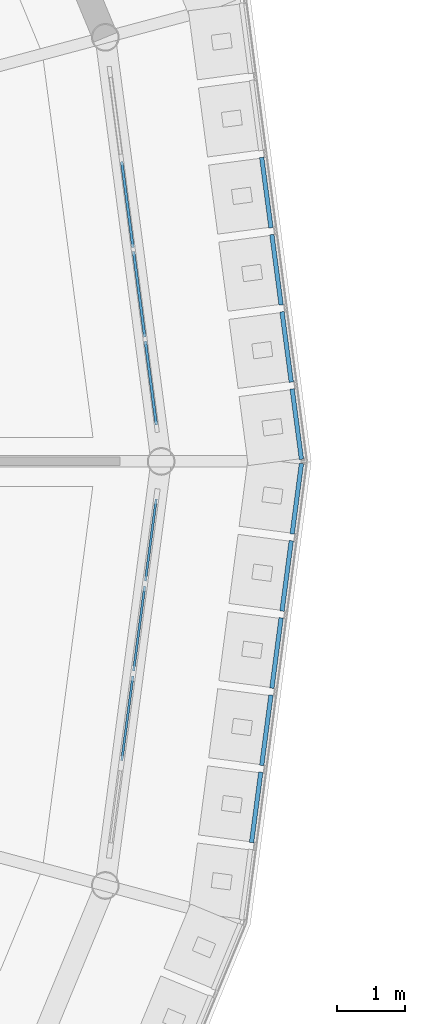
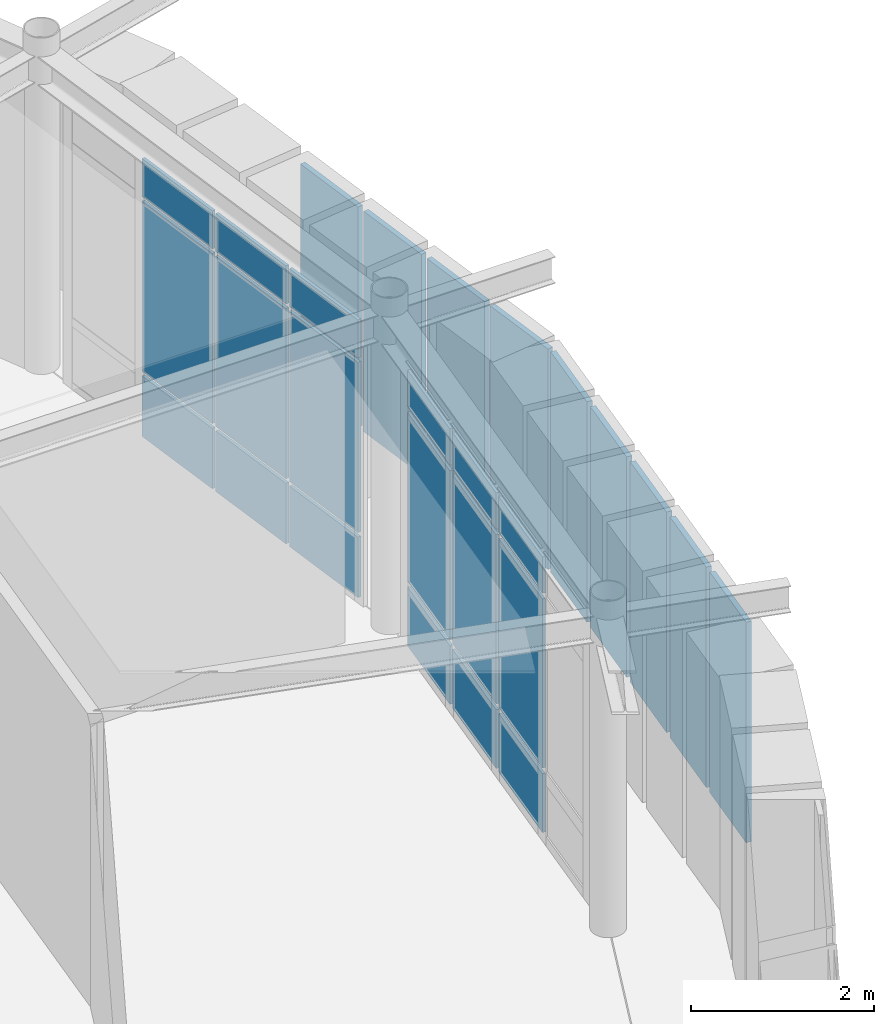
# One storey, part 71 of 106: 27 plates, 2 elements without a shape of their own.
"""IFC4 building model written with IfcOpenShell, lengths in metres."""

from ifc_helpers import new_model, si_unit, derived_unit, direction, frame, origin, origin_2d, place, context, subcontext, project, spatial, rectangle, extrude, material, layer, layer_set, type_object, element, aggregate, save


model = new_model("IFC4")

# Units and contexts
model_context = context("Model", 3, precision=1e-05, world=origin(), true_north=direction((0.0, 1.0)))
body_context = subcontext(model_context, "Body", "Model", "MODEL_VIEW")
ifc_project = project(units=[si_unit("LENGTHUNIT", "METRE"), si_unit("AREAUNIT", "SQUARE_METRE"), si_unit("VOLUMEUNIT", "CUBIC_METRE"), si_unit("PLANEANGLEUNIT", "RADIAN"), si_unit("MASSUNIT", "GRAM", prefix="KILO"), derived_unit("THERMALTRANSMITTANCEUNIT", [(si_unit("POWERUNIT", "WATT"), 1), (si_unit("AREAUNIT", "SQUARE_METRE"), -1), (si_unit("THERMODYNAMICTEMPERATUREUNIT", "KELVIN"), -1)])], contexts=[model_context])

# Site, building, storey
site_placement = place(None, origin())
site = spatial("IfcSite", under=ifc_project, at=site_placement, CompositionType="ELEMENT")
building_placement = place(site_placement, origin())
building = spatial("IfcBuilding", under=site, at=building_placement, Name="Yasenodar Specialist Clinic", CompositionType="ELEMENT")
storey_placement = place(building_placement, frame((0.0, 0.0, 4.5)))
storey = spatial("IfcBuildingStorey", under=building, at=storey_placement, Name="L01", CompositionType="ELEMENT", Elevation=4.5)

# Curtain wall, plates
ifc_material_1 = material(Name="Bronze Anodized Aluminium and Triple Low-E Glass", Category="aluminium")
ifc_layer_1 = layer(ifc_material_1, 0.1669921875)
ifc_layer_set_1 = layer_set([ifc_layer_1], Name="Bronze Anodized Aluminium and Triple Low-E Glass")
curtain_wall_type = type_object("IfcCurtainWallType", Name="CW-SYS-01", PredefinedType="USERDEFINED", material=ifc_layer_set_1)
curtain_wall_1_placement = place(storey_placement, origin())
curtain_wall_1 = element("IfcCurtainWall", 1, at=curtain_wall_1_placement, inside=storey, type_object=curtain_wall_type, Name="L01 Unitised Curtain Wall 025", ObjectType="UNITISED CURTAIN WALL", PredefinedType="USERDEFINED")
ifc_material_2 = material(Name="Triple Low-E Argon Glazing", Category="glass")
ifc_layer_2 = layer(ifc_material_2, 0.033935546875)
ifc_layer_set_2 = layer_set([ifc_layer_2], Name="Triple Low-E Argon Glazing")
plate_type_1 = type_object("IfcPlateType", Name="CW-PAN-2", PredefinedType="CURTAIN_PANEL", material=ifc_layer_set_2)
plate_1_placement = place(storey_placement, frame((104.848388671875, 57.64794921875, 0.074951171875), z_axis=(0.0, 0.0, 1.0), x_axis=(-0.13051156024, -0.991446787601, 0.0)))
plate_1 = element("IfcPlate", 2, at=plate_1_placement, type_object=plate_type_1, Name="CW-01 panel 1.1", PredefinedType="CURTAIN_PANEL", context=body_context, shape_type="SweptSolid", body=[
    extrude(rectangle(XDim=1.2138671875, YDim=0.033935546875, at=origin_2d()), origin(), (0.0, 0.0, 1.0), 0.78759765625),
])
plate_2_placement = place(storey_placement, frame((104.848388671875, 57.64794921875, 0.9375), z_axis=(0.0, 0.0, 1.0), x_axis=(-0.13051156024, -0.991446787601, 0.0)))
plate_2 = element("IfcPlate", 3, at=plate_2_placement, type_object=plate_type_1, Name="CW-01 panel 1.2", PredefinedType="CURTAIN_PANEL", context=body_context, shape_type="SweptSolid", body=[
    extrude(rectangle(XDim=1.2138671875, YDim=0.033935546875, at=origin_2d()), origin(), (0.0, 0.0, 1.0), 2.262939453125),
])
plate_3_placement = place(storey_placement, frame((104.848388671875, 57.64794921875, 3.275390625), z_axis=(0.0, 0.0, 1.0), x_axis=(-0.13051156024, -0.991446787601, 0.0)))
plate_3 = element("IfcPlate", 4, at=plate_3_placement, type_object=plate_type_1, Name="CW-01 panel 1.3", PredefinedType="CURTAIN_PANEL", context=body_context, shape_type="SweptSolid", body=[
    extrude(rectangle(XDim=1.2138671875, YDim=0.033935546875, at=origin_2d()), origin(), (0.0, 0.0, 1.0), 0.487548828125),
])
plate_4_placement = place(storey_placement, frame((104.677734375, 56.3515625, 0.074951171875), z_axis=(0.0, 0.0, 1.0), x_axis=(-0.13051156024, -0.991446787601, 0.0)))
plate_4 = element("IfcPlate", 5, at=plate_4_placement, type_object=plate_type_1, Name="CW-01 panel 2.1", PredefinedType="CURTAIN_PANEL", context=body_context, shape_type="SweptSolid", body=[
    extrude(rectangle(XDim=1.251220703125, YDim=0.033935546875, at=origin_2d()), origin(), (0.0, 0.0, 1.0), 0.78759765625),
])
plate_5_placement = place(storey_placement, frame((104.677734375, 56.3515625, 0.9375), z_axis=(0.0, 0.0, 1.0), x_axis=(-0.13051156024, -0.991446787601, 0.0)))
plate_5 = element("IfcPlate", 6, at=plate_5_placement, type_object=plate_type_1, Name="CW-01 panel 2.2", PredefinedType="CURTAIN_PANEL", context=body_context, shape_type="SweptSolid", body=[
    extrude(rectangle(XDim=1.251220703125, YDim=0.033935546875, at=origin_2d()), origin(), (0.0, 0.0, 1.0), 2.262939453125),
])
plate_6_placement = place(storey_placement, frame((104.677734375, 56.3515625, 3.275390625), z_axis=(0.0, 0.0, 1.0), x_axis=(-0.13051156024, -0.991446787601, 0.0)))
plate_6 = element("IfcPlate", 7, at=plate_6_placement, type_object=plate_type_1, Name="CW-01 panel 2.3", PredefinedType="CURTAIN_PANEL", context=body_context, shape_type="SweptSolid", body=[
    extrude(rectangle(XDim=1.251220703125, YDim=0.033935546875, at=origin_2d()), origin(), (0.0, 0.0, 1.0), 0.487548828125),
])
plate_7_placement = place(storey_placement, frame((104.504638671875, 55.03662109375, 0.074951171875), z_axis=(0.0, 0.0, 1.0), x_axis=(-0.13051156024, -0.991446787601, 0.0)))
plate_7 = element("IfcPlate", 8, at=plate_7_placement, type_object=plate_type_1, Name="CW-01 panel 3.1", PredefinedType="CURTAIN_PANEL", context=body_context, shape_type="SweptSolid", body=[
    extrude(rectangle(XDim=1.251220703125, YDim=0.033935546875, at=origin_2d()), origin(), (0.0, 0.0, 1.0), 0.78759765625),
])
plate_8_placement = place(storey_placement, frame((104.504638671875, 55.03662109375, 0.9375), z_axis=(0.0, 0.0, 1.0), x_axis=(-0.13051156024, -0.991446787601, 0.0)))
plate_8 = element("IfcPlate", 9, at=plate_8_placement, type_object=plate_type_1, Name="CW-01 panel 3.2", PredefinedType="CURTAIN_PANEL", context=body_context, shape_type="SweptSolid", body=[
    extrude(rectangle(XDim=1.251220703125, YDim=0.033935546875, at=origin_2d()), origin(), (0.0, 0.0, 1.0), 2.262939453125),
])
plate_9_placement = place(storey_placement, frame((104.504638671875, 55.03662109375, 3.275390625), z_axis=(0.0, 0.0, 1.0), x_axis=(-0.13051156024, -0.991446787601, 0.0)))
plate_9 = element("IfcPlate", 10, at=plate_9_placement, type_object=plate_type_1, Name="CW-01 panel 3.3", PredefinedType="CURTAIN_PANEL", context=body_context, shape_type="SweptSolid", body=[
    extrude(rectangle(XDim=1.251220703125, YDim=0.033935546875, at=origin_2d()), origin(), (0.0, 0.0, 1.0), 0.487548828125),
])
aggregate(curtain_wall_1, [plate_1, plate_2, plate_3, plate_4, plate_5, plate_6, plate_7, plate_8, plate_9])

curtain_wall_2_placement = place(storey_placement, origin())
curtain_wall_2 = element("IfcCurtainWall", 11, at=curtain_wall_2_placement, inside=storey, type_object=curtain_wall_type, Name="L01 Unitised Curtain Wall 014", ObjectType="UNITISED CURTAIN WALL", PredefinedType="USERDEFINED")
ifc_layer_3 = layer(ifc_material_2, 0.0400390625)
ifc_layer_set_3 = layer_set([ifc_layer_3], Name="Triple Low-E Argon Glazing")
plate_type_2 = type_object("IfcPlateType", Name="CW-PAN-3", PredefinedType="CURTAIN_PANEL", material=ifc_layer_set_3)
plate_10_placement = place(storey_placement, frame((104.504638671875, 62.563232421875, 0.06005859375), z_axis=(0.0, 0.0, 1.0), x_axis=(0.13051156024, -0.991446787601, 0.0)))
plate_10 = element("IfcPlate", 12, at=plate_10_placement, type_object=plate_type_2, Name="CW-01 panel 2.1", PredefinedType="CURTAIN_PANEL", context=body_context, shape_type="SweptSolid", body=[
    extrude(rectangle(XDim=1.266357421875, YDim=0.0400390625, at=origin_2d()), origin(), (0.0, 0.0, 1.0), 0.81005859375),
])
plate_11_placement = place(storey_placement, frame((104.504638671875, 62.563232421875, 0.93017578125), z_axis=(0.0, 0.0, 1.0), x_axis=(0.13051156024, -0.991446787601, 0.0)))
plate_11 = element("IfcPlate", 13, at=plate_11_placement, type_object=plate_type_2, Name="CW-01 panel 2.2", PredefinedType="CURTAIN_PANEL", context=body_context, shape_type="SweptSolid", body=[
    extrude(rectangle(XDim=1.266357421875, YDim=0.0400390625, at=origin_2d()), origin(), (0.0, 0.0, 1.0), 2.278076171875),
])
plate_12_placement = place(storey_placement, frame((104.504638671875, 62.563232421875, 3.26806640625), z_axis=(0.0, 0.0, 1.0), x_axis=(0.13051156024, -0.991446787601, 0.0)))
plate_12 = element("IfcPlate", 14, at=plate_12_placement, type_object=plate_type_2, Name="CW-01 panel 2.3", PredefinedType="CURTAIN_PANEL", context=body_context, shape_type="SweptSolid", body=[
    extrude(rectangle(XDim=1.266357421875, YDim=0.0400390625, at=origin_2d()), origin(), (0.0, 0.0, 1.0), 0.510009765625),
])
plate_13_placement = place(storey_placement, frame((104.677734375, 61.248291015625, 0.06005859375), z_axis=(0.0, 0.0, 1.0), x_axis=(0.13051156024, -0.991446787601, 0.0)))
plate_13 = element("IfcPlate", 15, at=plate_13_placement, type_object=plate_type_2, Name="CW-01 panel 3.1", PredefinedType="CURTAIN_PANEL", context=body_context, shape_type="SweptSolid", body=[
    extrude(rectangle(XDim=1.266357421875, YDim=0.0400390625, at=origin_2d()), origin(), (0.0, 0.0, 1.0), 0.81005859375),
])
plate_14_placement = place(storey_placement, frame((104.677734375, 61.248291015625, 0.93017578125), z_axis=(0.0, 0.0, 1.0), x_axis=(0.13051156024, -0.991446787601, 0.0)))
plate_14 = element("IfcPlate", 16, at=plate_14_placement, type_object=plate_type_2, Name="CW-01 panel 3.2", PredefinedType="CURTAIN_PANEL", context=body_context, shape_type="SweptSolid", body=[
    extrude(rectangle(XDim=1.266357421875, YDim=0.0400390625, at=origin_2d()), origin(), (0.0, 0.0, 1.0), 2.278076171875),
])
plate_15_placement = place(storey_placement, frame((104.677734375, 61.248291015625, 3.26806640625), z_axis=(0.0, 0.0, 1.0), x_axis=(0.13051156024, -0.991446787601, 0.0)))
plate_15 = element("IfcPlate", 17, at=plate_15_placement, type_object=plate_type_2, Name="CW-01 panel 3.3", PredefinedType="CURTAIN_PANEL", context=body_context, shape_type="SweptSolid", body=[
    extrude(rectangle(XDim=1.266357421875, YDim=0.0400390625, at=origin_2d()), origin(), (0.0, 0.0, 1.0), 0.510009765625),
])
plate_16_placement = place(storey_placement, frame((104.848876953125, 59.9482421875, 0.06005859375), z_axis=(0.0, 0.0, 1.0), x_axis=(0.13051156024, -0.991446787601, 0.0)))
plate_16 = element("IfcPlate", 18, at=plate_16_placement, type_object=plate_type_2, Name="CW-01 panel 4.1", PredefinedType="CURTAIN_PANEL", context=body_context, shape_type="SweptSolid", body=[
    extrude(rectangle(XDim=1.236328125, YDim=0.0400390625, at=origin_2d()), origin(), (0.0, 0.0, 1.0), 0.81005859375),
])
plate_17_placement = place(storey_placement, frame((104.848876953125, 59.9482421875, 0.93017578125), z_axis=(0.0, 0.0, 1.0), x_axis=(0.13051156024, -0.991446787601, 0.0)))
plate_17 = element("IfcPlate", 19, at=plate_17_placement, type_object=plate_type_2, Name="CW-01 panel 4.2", PredefinedType="CURTAIN_PANEL", context=body_context, shape_type="SweptSolid", body=[
    extrude(rectangle(XDim=1.236328125, YDim=0.0400390625, at=origin_2d()), origin(), (0.0, 0.0, 1.0), 2.278076171875),
])
plate_18_placement = place(storey_placement, frame((104.848876953125, 59.9482421875, 3.26806640625), z_axis=(0.0, 0.0, 1.0), x_axis=(0.13051156024, -0.991446787601, 0.0)))
plate_18 = element("IfcPlate", 20, at=plate_18_placement, type_object=plate_type_2, Name="CW-01 panel 4.3", PredefinedType="CURTAIN_PANEL", context=body_context, shape_type="SweptSolid", body=[
    extrude(rectangle(XDim=1.236328125, YDim=0.0400390625, at=origin_2d()), origin(), (0.0, 0.0, 1.0), 0.510009765625),
])
aggregate(curtain_wall_2, [plate_10, plate_11, plate_12, plate_13, plate_14, plate_15, plate_16, plate_17, plate_18])

# Plates
ifc_material_3 = material(Name="Thermally Modified Larch and Bronze Girih Jali Screen")
ifc_layer_4 = layer(ifc_material_3, 0.06494140625)
ifc_layer_set_4 = layer_set([ifc_layer_4], Name="Thermally Modified Larch and Bronze Girih Jali Screen")
plate_type_3 = type_object("IfcPlateType", Name="PL-JALI-850", PredefinedType="USERDEFINED", material=ifc_layer_set_4)
for number, where, z_axis, x_axis, name in (
    (21, (106.98681640625, 59.3466796875, 0.0048828125), (0.0, 0.0, 1.0), (-0.130519185854, 0.991445783754, 0.0), "L01 Sliding Timber-Bronze Jali Shutter Screen 0001"),
    (22, (106.837890625, 60.47705078125, 0.0048828125), (0.0, 0.0, 1.0), (-0.130519185854, 0.991445783754, 0.0), "L01 Sliding Timber-Bronze Jali Shutter Screen 0002"),
    (23, (106.689208984375, 61.607177734375, 0.0048828125), (0.0, 0.0, 1.0), (-0.130519185854, 0.991445783754, 0.0), "L01 Sliding Timber-Bronze Jali Shutter Screen 0003"),
    (24, (106.54052734375, 62.7373046875, 0.0048828125), (0.0, 0.0, 1.0), (-0.130519185854, 0.991445783754, 0.0), "L01 Sliding Timber-Bronze Jali Shutter Screen 0004"),
    (25, (106.3916015625, 53.732421875, 0.0048828125), (0.0, 0.0, 1.0), (0.130519185854, 0.991445783754, 0.0), "L01 Sliding Timber-Bronze Jali Shutter Screen 0104"),
    (26, (106.54052734375, 54.862548828125, 0.0048828125), (0.0, 0.0, 1.0), (0.130519185854, 0.991445783754, 0.0), "L01 Sliding Timber-Bronze Jali Shutter Screen 0105"),
    (27, (106.689208984375, 55.992919921875, 0.0048828125), (0.0, 0.0, 1.0), (0.130519185854, 0.991445783754, 0.0), "L01 Sliding Timber-Bronze Jali Shutter Screen 0106"),
    (28, (106.837890625, 57.123046875, 0.0048828125), (0.0, 0.0, 1.0), (0.130519185854, 0.991445783754, 0.0), "L01 Sliding Timber-Bronze Jali Shutter Screen 0107"),
    (29, (106.98681640625, 58.253173828125, 0.0048828125), (0.0, 0.0, 1.0), (0.130519185854, 0.991445783754, 0.0), "L01 Sliding Timber-Bronze Jali Shutter Screen 0108"),
):
    element("IfcPlate", number, at=place(storey_placement, frame(where, z_axis=z_axis, x_axis=x_axis)), inside=storey, type_object=plate_type_3, Name=name, ObjectType="SCREEN_PANEL", PredefinedType="USERDEFINED", context=body_context, shape_type="SweptSolid", body=[
        extrude(rectangle(XDim=1.0400390625, YDim=0.06494140625, at=origin_2d()), origin(), (0.0, 0.0, 1.0), 2.949951171875),
    ])

save(model, "model.ifc")
